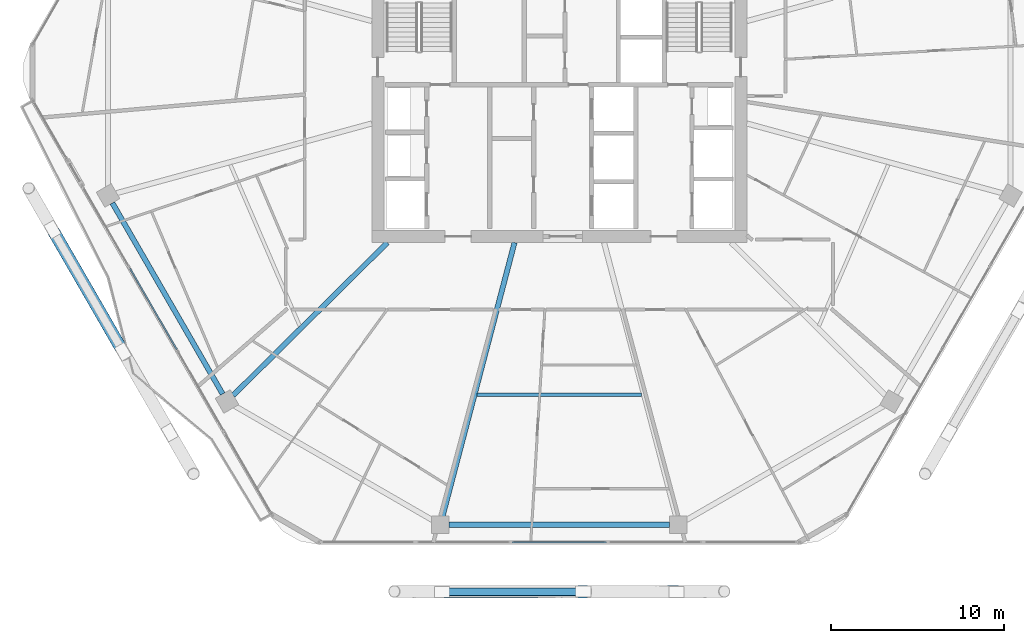
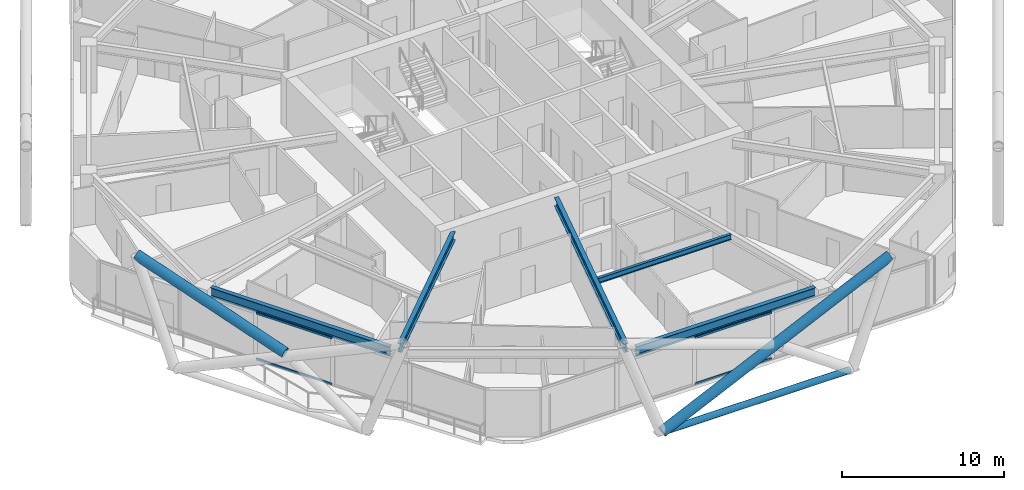
# One storey, part 4 of 28: 7 members, 5 beams, 2 elements without a shape of their own.
"""IFC4 building model written with IfcOpenShell, lengths in metres."""

from ifc_helpers import new_model, si_unit, direction, frame, origin, origin_2d, place, context, subcontext, project, spatial, hollow_rectangle, hollow_circle, i_section, extrude, material, material_profile, profile_set, type_object, element, aggregate, save


model = new_model("IFC4")

# Units and contexts
model_context = context("Model", 3, precision=1e-05, world=origin(), true_north=direction((0.0, 1.0)))
body_context = subcontext(model_context, "Body", "Model", "MODEL_VIEW")
ifc_project = project(units=[si_unit("LENGTHUNIT", "METRE"), si_unit("AREAUNIT", "SQUARE_METRE"), si_unit("VOLUMEUNIT", "CUBIC_METRE"), si_unit("PLANEANGLEUNIT", "RADIAN"), si_unit("MASSUNIT", "GRAM", prefix="KILO")], contexts=[model_context])

# Site, building, storey
site_placement = place(None, origin())
site = spatial("IfcSite", under=ifc_project, at=site_placement, CompositionType="ELEMENT")
building_placement = place(site_placement, origin())
building = spatial("IfcBuilding", under=site, at=building_placement, Name="Zuhravey Tower", CompositionType="ELEMENT")
storey_placement = place(building_placement, frame((0.0, 0.0, 169.39990234375)))
storey = spatial("IfcBuildingStorey", under=building, at=storey_placement, Name="L42", CompositionType="ELEMENT", Elevation=169.39990234375)

# Curtain wall, members
ifc_material_1 = material(Name="Thermally broken anodised aluminium", Category="aluminium")
curtain_wall_type = type_object("IfcCurtainWallType", Name="Zone 1-2 Residential Curtain Wall CW3", PredefinedType="NOTDEFINED", material=ifc_material_1)
curtain_wall_1_placement = place(storey_placement, origin())
curtain_wall_1 = element("IfcCurtainWall", 1, at=curtain_wall_1_placement, inside=storey, type_object=curtain_wall_type, Name="L42 CW3 CW-L42-F5-1", PredefinedType="NOTDEFINED")
ifc_material_2 = material(Name="Anodised aluminium", Category="aluminium")
ifc_material_profile_1 = material_profile(ifc_material_2, hollow_rectangle(XDim=0.090087890625, YDim=0.14990234375, WallThickness=0.0048828125, at=origin_2d()), Name="ALU-RHS-90x150x5")
ifc_profile_set_1 = profile_set([ifc_material_profile_1], Name="Anodised aluminium")
member_type_1 = type_object("IfcMemberType", Name="Curtain-Wall Transom 90x150", PredefinedType="USERDEFINED", material=ifc_profile_set_1)
member_1_placement = place(storey_placement, frame((38.727294921875, 4.81689453125, 0.045166015625), z_axis=(-1.0, 0.0, 0.0), x_axis=(0.0, -1.0, 0.0)))
member_1 = element("IfcMember", 2, at=member_1_placement, type_object=member_type_1, Name="CW3 transom 3.1", ObjectType="TRANSOM", PredefinedType="USERDEFINED", context=body_context, shape_type="SweptSolid", body=[
    extrude(hollow_rectangle(XDim=0.090087890625, YDim=0.14990234375, WallThickness=0.0048828125, at=origin_2d()), origin(), (0.0, 0.0, 1.0), 5.45458984375),
])
member_2_placement = place(storey_placement, frame((38.727294921875, 4.81689453125, 3.505126953125), z_axis=(-1.0, 0.0, 0.0), x_axis=(0.0, -1.0, 0.0)))
member_2 = element("IfcMember", 3, at=member_2_placement, type_object=member_type_1, Name="CW3 transom 3.2", ObjectType="TRANSOM", PredefinedType="USERDEFINED", context=body_context, shape_type="SweptSolid", body=[
    extrude(hollow_rectangle(XDim=0.090087890625, YDim=0.14990234375, WallThickness=0.0048828125, at=origin_2d()), origin(), (0.0, 0.0, 1.0), 5.45458984375),
])
aggregate(curtain_wall_1, [member_1, member_2])

curtain_wall_2_placement = place(storey_placement, origin())
curtain_wall_2 = element("IfcCurtainWall", 4, at=curtain_wall_2_placement, inside=storey, type_object=curtain_wall_type, Name="L42 CW3 CW-L42-F4-1", PredefinedType="NOTDEFINED")
member_3_placement = place(storey_placement, frame((13.870361328125, 15.96337890625, 0.045166015625), z_axis=(-0.500005212103, 0.866022394554, 0.0), x_axis=(-0.866022394554, -0.500005212103, 0.0)))
member_3 = element("IfcMember", 5, at=member_3_placement, type_object=member_type_1, Name="CW3 transom 3.1", ObjectType="TRANSOM", PredefinedType="USERDEFINED", context=body_context, shape_type="SweptSolid", body=[
    extrude(hollow_rectangle(XDim=0.090087890625, YDim=0.14990234375, WallThickness=0.0048828125, at=origin_2d()), origin(), (0.0, 0.0, 1.0), 5.40625),
])
member_4_placement = place(storey_placement, frame((13.870361328125, 15.96337890625, 3.505126953125), z_axis=(-0.500005212103, 0.866022394554, 0.0), x_axis=(-0.866022394554, -0.500005212103, 0.0)))
member_4 = element("IfcMember", 6, at=member_4_placement, type_object=member_type_1, Name="CW3 transom 3.2", ObjectType="TRANSOM", PredefinedType="USERDEFINED", context=body_context, shape_type="SweptSolid", body=[
    extrude(hollow_rectangle(XDim=0.090087890625, YDim=0.14990234375, WallThickness=0.0048828125, at=origin_2d()), origin(), (0.0, 0.0, 1.0), 5.40625),
])
aggregate(curtain_wall_2, [member_3, member_4])

# Members
ifc_material_3 = material(Name="Steel SM355", Category="steel")
ifc_material_profile_2 = material_profile(ifc_material_3, hollow_circle(Radius=0.228515625, WallThickness=0.02197265625, at=origin_2d()), Name="CHS-457.2x22")
ifc_profile_set_2 = profile_set([ifc_material_profile_2], Name="Steel SM355")
member_type_2 = type_object("IfcMemberType", Name="Exoskeleton Ring Tie CHS457x22", PredefinedType="CHORD", material=ifc_profile_set_2)
member_5_placement = place(storey_placement, frame((29.35888671875, 1.93701171875, -0.4638671875), z_axis=(1.0, 0.0, 0.0), x_axis=(0.0, 1.0, 0.0)))
element("IfcMember", 7, at=member_5_placement, inside=storey, type_object=member_type_2, Name="L42 Exoskeleton Face 5 Tie EXR1", PredefinedType="CHORD", context=body_context, shape_type="SweptSolid", body=[
    extrude(hollow_circle(Radius=0.228515625, WallThickness=0.02197265625, at=origin_2d()), origin(), (0.0, 0.0, 1.0), 13.2822265625),
])
ifc_material_4 = material(Name="Steel SM460", Category="steel")
ifc_material_profile_3 = material_profile(ifc_material_4, hollow_circle(Radius=0.355712890625, WallThickness=0.031982421875, at=origin_2d()), Name="CHS-711.2x32")
ifc_profile_set_3 = profile_set([ifc_material_profile_3], Name="Steel SM460")
member_type_3 = type_object("IfcMemberType", Name="Exoskeleton Zone 2 Diagrid CHS711x32", PredefinedType="BRACE", material=ifc_profile_set_3)
member_6_placement = place(storey_placement, frame((10.598876953125, 16.10986328125, 3.449462890625), z_axis=(-0.472328200199, 0.818092776704, 0.328070541198), x_axis=(-0.866024434144, -0.500001679462, 0.0)))
element("IfcMember", 8, at=member_6_placement, inside=storey, type_object=member_type_3, Name="L42 Face 4 Split Diagrid Brace 3B", PredefinedType="BRACE", context=body_context, shape_type="SweptSolid", body=[
    extrude(hollow_circle(Radius=0.355712890625, WallThickness=0.031982421875, at=origin_2d()), origin(), (0.0, 0.0, 1.0), 11.190185546875),
])
member_7_placement = place(storey_placement, frame((29.261962890625, 1.93701171875, -0.44384765625), z_axis=(0.906678910824, 0.001661881417, 0.421818196403), x_axis=(-0.001832929613, 0.999998320183, 0.0)))
element("IfcMember", 9, at=member_7_placement, inside=storey, type_object=member_type_3, Name="L42 Face 5 Diagrid Brace 2", PredefinedType="BRACE", context=body_context, shape_type="SweptSolid", body=[
    extrude(hollow_circle(Radius=0.355712890625, WallThickness=0.031982421875, at=origin_2d()), origin(), (0.0, 0.0, 1.0), 17.922607421875),
])

# Beams
ifc_material_profile_4 = material_profile(ifc_material_3, i_section(OverallWidth=0.300048828125, OverallDepth=0.679931640625, WebThickness=0.012939453125, FlangeThickness=0.02197265625, at=origin_2d()), Name="H-680x300x13x22")
ifc_profile_set_4 = profile_set([ifc_material_profile_4], Name="Steel SM355")
beam_type_1 = type_object("IfcBeamType", Name="Perimeter Ring Beam H680x300", PredefinedType="BEAM", material=ifc_profile_set_4)
beam_1_placement = place(storey_placement, frame((10.143798828125, 24.43798828125, 3.210205078125), z_axis=(0.499997974489, -0.866026573211, 0.0), x_axis=(0.866026573211, 0.499997974489, 0.0)))
element("IfcBeam", 10, at=beam_1_placement, inside=storey, type_object=beam_type_1, Name="L42 PB2 BM-L42-PB-07", PredefinedType="BEAM", context=body_context, shape_type="SweptSolid", body=[
    extrude(i_section(OverallWidth=0.300048828125, OverallDepth=0.679931640625, WebThickness=0.012939453125, FlangeThickness=0.02197265625, at=origin_2d()), origin(), (0.0, 0.0, 1.0), 12.75830078125),
])
beam_2_placement = place(storey_placement, frame((29.62109375, 5.826904296875, 3.210205078125), z_axis=(1.0, 0.0, 0.0), x_axis=(0.0, 1.0, 0.0)))
element("IfcBeam", 11, at=beam_2_placement, inside=storey, type_object=beam_type_1, Name="L42 PB2 BM-L42-PB-09", PredefinedType="BEAM", context=body_context, shape_type="SweptSolid", body=[
    extrude(i_section(OverallWidth=0.300048828125, OverallDepth=0.679931640625, WebThickness=0.012939453125, FlangeThickness=0.02197265625, at=origin_2d()), origin(), (0.0, 0.0, 1.0), 12.7578125),
])
ifc_material_profile_5 = material_profile(ifc_material_3, i_section(OverallWidth=0.300048828125, OverallDepth=0.64990234375, WebThickness=0.012939453125, FlangeThickness=0.02197265625, at=origin_2d()), Name="H-650x300x13x22")
ifc_profile_set_5 = profile_set([ifc_material_profile_5], Name="Steel SM355")
beam_type_2 = type_object("IfcBeamType", Name="Radial Primary Girder H650x300", PredefinedType="BEAM", material=ifc_profile_set_5)
beam_3_placement = place(storey_placement, frame((26.054443359375, 22.14697265625, 3.22509765625), z_axis=(-0.71040353357, -0.703794586148, 0.0), x_axis=(0.703794586148, -0.71040353357, 0.0)))
element("IfcBeam", 12, at=beam_3_placement, inside=storey, type_object=beam_type_2, Name="L42 RG2 BM-L42-RAD-08", PredefinedType="BEAM", context=body_context, shape_type="SweptSolid", body=[
    extrude(i_section(OverallWidth=0.300048828125, OverallDepth=0.64990234375, WebThickness=0.012939453125, FlangeThickness=0.02197265625, at=origin_2d()), origin(), (0.0, 0.0, 1.0), 12.559814453125),
])
beam_4_placement = place(storey_placement, frame((33.4091796875, 22.14697265625, 3.22509765625), z_axis=(-0.254300244998, -0.967125320418, 0.0), x_axis=(0.967125320418, -0.254300244998, 0.0)))
element("IfcBeam", 13, at=beam_4_placement, inside=storey, type_object=beam_type_2, Name="L42 RG2 BM-L42-RAD-09", PredefinedType="BEAM", context=body_context, shape_type="SweptSolid", body=[
    extrude(i_section(OverallWidth=0.300048828125, OverallDepth=0.64990234375, WebThickness=0.012939453125, FlangeThickness=0.02197265625, at=origin_2d()), origin(), (0.0, 0.0, 1.0), 16.371826171875),
])
ifc_material_profile_6 = material_profile(ifc_material_3, i_section(OverallWidth=0.199951171875, OverallDepth=0.39990234375, WebThickness=0.008056640625, FlangeThickness=0.012939453125, at=origin_2d()), Name="H-400x200x8x13")
ifc_profile_set_6 = profile_set([ifc_material_profile_6], Name="Steel SM355")
beam_type_3 = type_object("IfcBeamType", Name="Secondary Floor Joist H400x200", PredefinedType="JOIST", material=ifc_profile_set_6)
beam_5_placement = place(storey_placement, frame((31.245849609375, 13.334228515625, 3.35009765625), z_axis=(1.0, 0.0, 0.0), x_axis=(0.0, 1.0, 0.0)))
element("IfcBeam", 14, at=beam_5_placement, inside=storey, type_object=beam_type_3, Name="L42 SJ2 BM-L42-SJ-09-1", PredefinedType="JOIST", context=body_context, shape_type="SweptSolid", body=[
    extrude(i_section(OverallWidth=0.199951171875, OverallDepth=0.39990234375, WebThickness=0.008056640625, FlangeThickness=0.012939453125, at=origin_2d()), origin(), (0.0, 0.0, 1.0), 9.50830078125),
])

save(model, "model.ifc")
